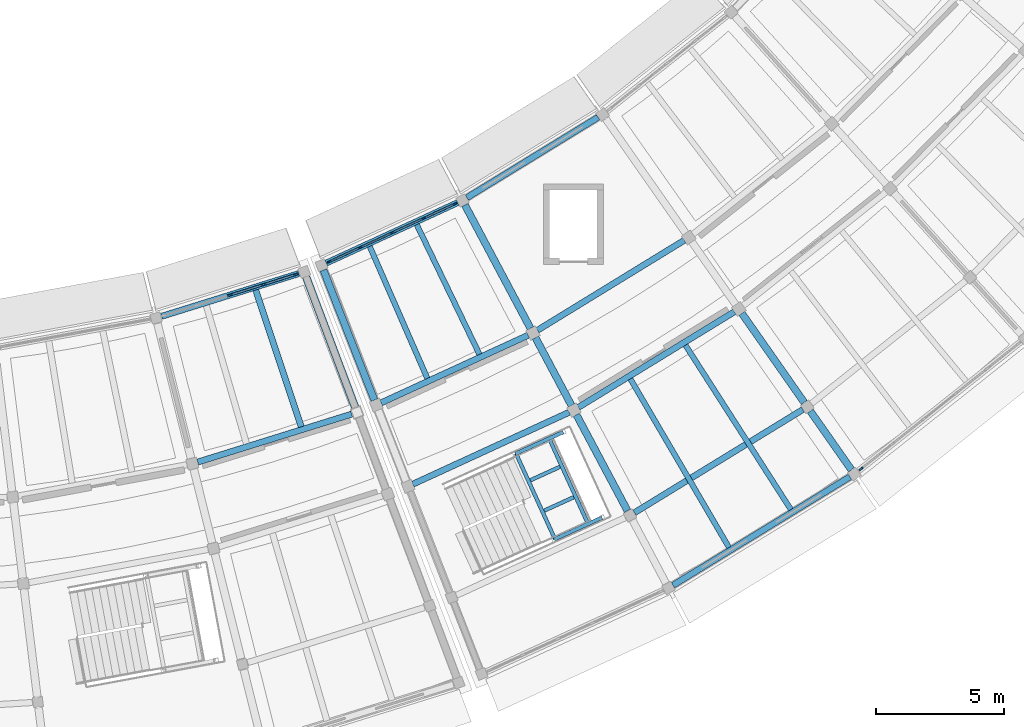
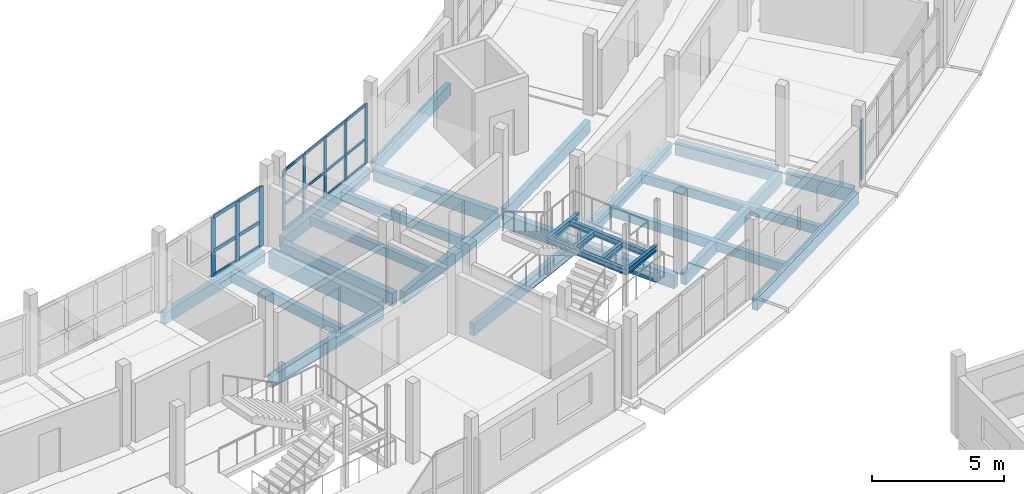
# One storey, part 30 of 77: 28 beams, 27 members, 3 elements without a shape of their own.
"""IFC4 building model written with IfcOpenShell, lengths in metres."""

import ifcopenshell
import ifcopenshell.guid

model = None  # the IFC model being written
_history = None  # IfcOwnerHistory: only IFC2X3 demands one
_inside = {}  # id of a spatial element -> (the spatial element, [elements in it])
_under = {}  # id of a project, library or spatial element -> (it, [spatial elements below it])
_declared = {}  # id of a project -> (the project, [libraries it declares])
_typed = {}  # id of a type object -> (the type object, [elements of that type])
_made_of = {}  # id of a material, layer set ... -> (it, [elements and type objects made of it])


def new_model(schema):
    """Start an empty IFC model of exactly this schema.

    Asked for "IFC4X3", IfcOpenShell would pick the latest addendum, in which some entities
    have other attributes; the version numbers below select the first issue.
    IFC2X3 requires an IfcOwnerHistory on every rooted entity: one is made here for all.
    """
    global model, _history
    if schema == "IFC4X3":
        model = ifcopenshell.file(schema_version=(4, 3, 0, 0))
    else:
        model = ifcopenshell.file(schema=schema)
    _inside.clear()
    _under.clear()
    _declared.clear()
    _typed.clear()
    _made_of.clear()
    _history = None
    if model.schema == "IFC2X3":
        org = make("IfcOrganization", Name="unknown")
        user = make(
            "IfcPersonAndOrganization",
            ThePerson=make("IfcPerson", FamilyName="unknown"),
            TheOrganization=org,
        )
        app = make(
            "IfcApplication",
            ApplicationDeveloper=org,
            Version="unknown",
            ApplicationFullName="unknown",
            ApplicationIdentifier="unknown",
        )
        _history = make(
            "IfcOwnerHistory",
            OwningUser=user,
            OwningApplication=app,
            ChangeAction="ADDED",
            CreationDate=0,
        )
    return model


def make(cls, **values):
    """One entity of the class cls with the attributes given. An attribute that is None is left unset."""
    return model.create_entity(
        cls, **{name: value for name, value in values.items() if value is not None}
    )


def rooted(cls, **values):
    """An entity with a GlobalId (a new one), such as an element, a storey or a relation."""
    return make(cls, GlobalId=ifcopenshell.guid.new(), OwnerHistory=_history, **values)


def si_unit(unit_type, name, prefix=None):
    """IfcSIUnit, for example si_unit("LENGTHUNIT", "METRE", prefix="MILLI")."""
    return make("IfcSIUnit", UnitType=unit_type, Prefix=prefix, Name=name)


def assignment(units):
    """IfcUnitAssignment: the units of a project."""
    return None if units is None else make("IfcUnitAssignment", Units=units)


def point(xyz):
    """IfcCartesianPoint."""
    return None if xyz is None else make("IfcCartesianPoint", Coordinates=xyz)


def direction(xyz):
    """IfcDirection."""
    return None if xyz is None else make("IfcDirection", DirectionRatios=xyz)


def frame(location, z_axis=None, x_axis=None):
    """IfcAxis2Placement3D, a coordinate frame: its origin and axes. An axis left out is left unset."""
    return make(
        "IfcAxis2Placement3D",
        Location=point(location),
        Axis=direction(z_axis),
        RefDirection=direction(x_axis),
    )


def frame_2d(location, x_axis=None):
    """IfcAxis2Placement2D, a coordinate frame in the plane: its origin and x axis."""
    return make(
        "IfcAxis2Placement2D", Location=point(location), RefDirection=direction(x_axis)
    )


def origin():
    """The frame at (0, 0, 0) with its axes left unset."""
    return frame((0.0, 0.0, 0.0))


def origin_2d():
    """The frame at (0, 0) in the plane with its x axis left unset."""
    return frame_2d((0.0, 0.0))


def place(relative_to, where):
    """IfcLocalPlacement: puts the frame where relative to a parent placement (None: the world)."""
    return make(
        "IfcLocalPlacement", PlacementRelTo=relative_to, RelativePlacement=where
    )


def context(
    kind, dimensions, precision=None, world=None, true_north=None, identifier=None
):
    """IfcGeometricRepresentationContext, for example the 3D "Model" context."""
    return make(
        "IfcGeometricRepresentationContext",
        ContextIdentifier=identifier,
        ContextType=kind,
        CoordinateSpaceDimension=dimensions,
        Precision=precision,
        WorldCoordinateSystem=world,
        TrueNorth=true_north,
    )


def subcontext(parent, identifier, kind, view, scale=None):
    """IfcGeometricRepresentationSubContext, for example "Body" below "Model"."""
    return make(
        "IfcGeometricRepresentationSubContext",
        ContextIdentifier=identifier,
        ContextType=kind,
        ParentContext=parent,
        TargetScale=scale,
        TargetView=view,
    )


def project(units=None, contexts=None):
    """IfcProject with its units and contexts."""
    return rooted(
        "IfcProject",
        Name="project",
        RepresentationContexts=contexts,
        UnitsInContext=assignment(units),
    )


def spatial(cls, under=None, at=None, **own):
    """A site, building, storey or space (cls), placed at a placement, below another one or the project."""
    s = rooted(cls, ObjectPlacement=at, **own)
    if under is not None:
        _under.setdefault(under.id(), (under, []))[1].append(s)
    return s


def profile(cls, at=None, kind="AREA", **sizes):
    """A parametric profile (cls). Its sizes go by their IFC names, for example OverallWidth=200.0."""
    return make(cls, ProfileType=kind, Position=at, **sizes)


def rectangle(**sizes):
    """IfcRectangleProfileDef."""
    return profile("IfcRectangleProfileDef", **sizes)


def i_section(**sizes):
    """IfcIShapeProfileDef."""
    return profile("IfcIShapeProfileDef", **sizes)


def extrude(swept, where, along, depth):
    """IfcExtrudedAreaSolid: the profile swept, set in the frame where, extruded along a direction by depth."""
    return make(
        "IfcExtrudedAreaSolid",
        SweptArea=swept,
        Position=where,
        ExtrudedDirection=direction(along),
        Depth=depth,
    )


def shape(context_of_items, identifier, shape_type, items):
    """IfcShapeRepresentation: the items that make up one representation, for example the "Body"."""
    return make(
        "IfcShapeRepresentation",
        ContextOfItems=context_of_items,
        RepresentationIdentifier=identifier,
        RepresentationType=shape_type,
        Items=items,
    )


def material(Name=None, Category=None):
    """IfcMaterial."""
    return make("IfcMaterial", Name=Name, Category=Category)


def layer(
    of_material, thickness, ventilated=None, Name=None, Category=None, Priority=None
):
    """IfcMaterialLayer: one layer of a wall or slab, of a material (None: an air gap)."""
    return make(
        "IfcMaterialLayer",
        Material=of_material,
        LayerThickness=thickness,
        IsVentilated=ventilated,
        Name=Name,
        Category=Category,
        Priority=Priority,
    )


def layer_set(layers, Name=None):
    """IfcMaterialLayerSet."""
    return make("IfcMaterialLayerSet", MaterialLayers=layers, LayerSetName=Name)


def material_profile(
    of_material, cross_section, Name=None, Category=None, Priority=None
):
    """IfcMaterialProfile: a cross section and its material."""
    return make(
        "IfcMaterialProfile",
        Name=Name,
        Material=of_material,
        Profile=cross_section,
        Priority=Priority,
        Category=Category,
    )


def profile_set(profiles, Name=None, composite=None):
    """IfcMaterialProfileSet."""
    return make(
        "IfcMaterialProfileSet",
        Name=Name,
        MaterialProfiles=profiles,
        CompositeProfile=composite,
    )


def made_of(thing, what):
    """Note that an element or type object is made of a material, layer set ...; save() writes the relation."""
    if what is not None:
        _made_of.setdefault(what.id(), (what, []))[1].append(thing)
    return thing


def type_object(cls, material=None, **own):
    """A type object (cls), such as IfcWallType, which elements share."""
    return made_of(rooted(cls, **own), material)


def element(
    cls,
    number,
    at=None,
    inside=None,
    cuts=None,
    type_object=None,
    material=None,
    context=None,
    identifier="Body",
    shape_type=None,
    held_by="IfcProductDefinitionShape",
    body=None,
    shapes=None,
    **own,
):
    """One element of the class cls, such as IfcWall. Its Tag is "e" and its number.

    at: its placement. inside: the storey or other place that contains it. cuts: it is an
    opening in that element (IfcRelVoidsElement). A single representation is given by context,
    identifier, shape_type and body (its items); several are given by shapes. held_by: the class
    of the entity that holds the representations. save() writes the other relations.
    """
    e = rooted(cls, Tag="e%d" % number, ObjectPlacement=at, **own)
    if body is not None:
        shapes = [shape(context, identifier, shape_type, body)]
    if shapes is not None:
        e.Representation = make(held_by, Representations=shapes)
    if inside is not None:
        _inside.setdefault(inside.id(), (inside, []))[1].append(e)
    if cuts is not None:
        rooted(
            "IfcRelVoidsElement", RelatingBuildingElement=cuts, RelatedOpeningElement=e
        )
    if type_object is not None:
        _typed.setdefault(type_object.id(), (type_object, []))[1].append(e)
    return made_of(e, material)


def aggregate(whole, parts):
    """IfcRelAggregates: a whole, such as a stair, and the parts it consists of."""
    return rooted("IfcRelAggregates", RelatingObject=whole, RelatedObjects=parts)


def save(model, path):
    """Write the relations noted so far, then the file.

    IfcRelAggregates (storeys below a building ...), IfcRelContainedInSpatialStructure (elements
    in a storey), IfcRelDefinesByType, IfcRelAssociatesMaterial and IfcRelDeclares: one each for
    every whole, place, type object, material and project.
    """
    for whole, parts in _under.values():
        aggregate(whole, parts)
    for where, things in _inside.values():
        rooted(
            "IfcRelContainedInSpatialStructure",
            RelatedElements=things,
            RelatingStructure=where,
        )
    for kind, things in _typed.values():
        rooted("IfcRelDefinesByType", RelatedObjects=things, RelatingType=kind)
    for what, things in _made_of.values():
        rooted("IfcRelAssociatesMaterial", RelatedObjects=things, RelatingMaterial=what)
    for by, libraries in _declared.values():
        rooted("IfcRelDeclares", RelatingContext=by, RelatedDefinitions=libraries)
    model.write(path)


model = new_model("IFC4")

# Units and contexts
model_context = context("Model", 3, precision=1e-05, world=origin(), true_north=direction((0.0, 1.0)))
body_context = subcontext(model_context, "Body", "Model", "MODEL_VIEW")
ifc_project = project(units=[si_unit("LENGTHUNIT", "METRE"), si_unit("AREAUNIT", "SQUARE_METRE"), si_unit("VOLUMEUNIT", "CUBIC_METRE"), si_unit("PLANEANGLEUNIT", "RADIAN"), si_unit("MASSUNIT", "GRAM", prefix="KILO")], contexts=[model_context])

# Site, building, storey
site_placement = place(None, origin())
site = spatial("IfcSite", under=ifc_project, at=site_placement, CompositionType="ELEMENT")
building_placement = place(site_placement, origin())
building = spatial("IfcBuilding", under=site, at=building_placement, Name="Caldaven Crescent School", CompositionType="ELEMENT")
storey_placement = place(building_placement, frame((0.0, 0.0, 4.419921875)))
storey = spatial("IfcBuildingStorey", under=building, at=storey_placement, Name="L01", CompositionType="ELEMENT", Elevation=4.419921875)

# Beams
ifc_material_1 = material(Name="Glulam MLE24h (GL28h)", Category="wood")
ifc_material_profile_1 = material_profile(ifc_material_1, rectangle(XDim=0.239990234375, YDim=0.5400390625, at=origin_2d()), Name="MLE 240x540")
ifc_profile_set_1 = profile_set([ifc_material_profile_1], Name="Glulam MLE24h (GL28h)")
beam_type_1 = type_object("IfcBeamType", Name="BM-GL54", PredefinedType="BEAM", material=ifc_profile_set_1)
beam_1_placement = place(storey_placement, frame((102.314208984375, 39.4970703125, -0.489990234375), z_axis=(0.954740502416, 0.297440032689, 0.0), x_axis=(-0.297440032689, 0.954740502416, 0.0)))
element("IfcBeam", 1, at=beam_1_placement, inside=storey, type_object=beam_type_1, Name="BMT-V5-L01-1062", PredefinedType="BEAM", context=body_context, shape_type="SweptSolid", body=[
    extrude(rectangle(XDim=0.239990234375, YDim=0.5400390625, at=origin_2d()), origin(), (0.0, 0.0, 1.0), 6.277587890625),
])
beam_2_placement = place(storey_placement, frame((109.453369140625, 41.802978515625, -0.489990234375), z_axis=(0.908521604568, 0.417837880083, 0.0), x_axis=(-0.417837880083, 0.908521604568, 0.0)))
element("IfcBeam", 2, at=beam_2_placement, inside=storey, type_object=beam_type_1, Name="BMT-V4E-L01-1095", PredefinedType="BEAM", context=body_context, shape_type="SweptSolid", body=[
    extrude(rectangle(XDim=0.239990234375, YDim=0.5400390625, at=origin_2d()), origin(), (0.0, 0.0, 1.0), 6.307373046875),
])
beam_3_placement = place(storey_placement, frame((110.693603515625, 38.637451171875, -0.489990234375), z_axis=(0.908529189987, 0.41782138641, 0.0), x_axis=(-0.41782138641, 0.908529189987, 0.0)))
element("IfcBeam", 3, at=beam_3_placement, inside=storey, type_object=beam_type_1, Name="BMT-V4E-L01-1096", PredefinedType="BEAM", context=body_context, shape_type="SweptSolid", body=[
    extrude(rectangle(XDim=0.239990234375, YDim=0.5400390625, at=origin_2d()), origin(), (0.0, 0.0, 1.0), 6.69921875),
])
beam_4_placement = place(storey_placement, frame((115.544921875, 44.63134765625, -0.489990234375), z_axis=(0.85265146304, 0.52248012649, 0.0), x_axis=(-0.52248012649, 0.85265146304, 0.0)))
element("IfcBeam", 4, at=beam_4_placement, inside=storey, type_object=beam_type_1, Name="BMT-V4E-L01-1102", PredefinedType="BEAM", context=body_context, shape_type="SweptSolid", body=[
    extrude(rectangle(XDim=0.239990234375, YDim=0.5400390625, at=origin_2d()), origin(), (0.0, 0.0, 1.0), 6.708251953125),
])
beam_5_placement = place(storey_placement, frame((117.14111328125, 41.629150390625, -0.489990234375), z_axis=(0.852628835063, 0.522517051989, 0.0), x_axis=(-0.522517051989, 0.852628835063, 0.0)))
element("IfcBeam", 5, at=beam_5_placement, inside=storey, type_object=beam_type_1, Name="BMT-V4E-L01-1103", PredefinedType="BEAM", context=body_context, shape_type="SweptSolid", body=[
    extrude(rectangle(XDim=0.239990234375, YDim=0.5400390625, at=origin_2d()), origin(), (0.0, 0.0, 1.0), 7.12353515625),
])
beam_6_placement = place(storey_placement, frame((119.32421875, 37.5234375, -0.489990234375), z_axis=(0.85263227297, 0.522511442067, 0.0), x_axis=(-0.522511442067, 0.85263227297, 0.0)))
element("IfcBeam", 6, at=beam_6_placement, inside=storey, type_object=beam_type_1, Name="BMT-V4E-L01-1104", PredefinedType="BEAM", context=body_context, shape_type="SweptSolid", body=[
    extrude(rectangle(XDim=0.239990234375, YDim=0.5400390625, at=origin_2d()), origin(), (0.0, 0.0, 1.0), 7.69140625),
])
ifc_material_profile_2 = material_profile(ifc_material_1, rectangle(XDim=0.280029296875, YDim=0.6298828125, at=origin_2d()), Name="MLE 280x630")
ifc_profile_set_2 = profile_set([ifc_material_profile_2], Name="Glulam MLE24h (GL28h)")
beam_type_2 = type_object("IfcBeamType", Name="BM-GL63", PredefinedType="BEAM", material=ifc_profile_set_2)
beam_7_placement = place(storey_placement, frame((107.207763671875, 46.973388671875, -0.534912109375), z_axis=(0.364812189152, -0.931081127854, 0.0), x_axis=(0.931081127854, 0.364812189152, 0.0)))
element("IfcBeam", 7, at=beam_7_placement, inside=storey, type_object=beam_type_2, Name="BMR-V4E-L01-1070", PredefinedType="BEAM", context=body_context, shape_type="SweptSolid", body=[
    extrude(rectangle(XDim=0.280029296875, YDim=0.6298828125, at=origin_2d()), origin(), (0.0, 0.0, 1.0), 5.440185546875),
])
beam_8_placement = place(storey_placement, frame((112.719970703125, 49.50830078125, -0.534912109375), z_axis=(0.469476763346, -0.882944827652, 0.0), x_axis=(0.882944827652, 0.469476763346, 0.0)))
element("IfcBeam", 8, at=beam_8_placement, inside=storey, type_object=beam_type_2, Name="BMR-V4E-L01-1074", PredefinedType="BEAM", context=body_context, shape_type="SweptSolid", body=[
    extrude(rectangle(XDim=0.280029296875, YDim=0.6298828125, at=origin_2d()), origin(), (0.0, 0.0, 1.0), 5.43994140625),
])
beam_9_placement = place(storey_placement, frame((115.466552734375, 44.34326171875, -0.534912109375), z_axis=(0.46941390334, -0.882978248515, 0.0), x_axis=(0.882978248515, 0.46941390334, 0.0)))
element("IfcBeam", 9, at=beam_9_placement, inside=storey, type_object=beam_type_2, Name="BMR-V4E-L01-1075", PredefinedType="BEAM", context=body_context, shape_type="SweptSolid", body=[
    extrude(rectangle(XDim=0.280029296875, YDim=0.6298828125, at=origin_2d()), origin(), (0.0, 0.0, 1.0), 2.989990234375),
])
for number, where, z_axis, x_axis, name in (
    (10, (117.062744140625, 41.341064453125, -0.534912109375), (0.469461129132, -0.882953140452, 0.0), (0.882953140452, 0.469461129132, 0.0), "BMR-V4E-L01-1076"),
    (11, (123.50732421875, 45.290283203125, -0.534912109375), (0.573570546438, -0.819156168419, 0.0), (0.819156168419, 0.573570546438, 0.0), "BMR-V4E-L01-1080"),
):
    element("IfcBeam", number, at=place(storey_placement, frame(where, z_axis=z_axis, x_axis=x_axis)), inside=storey, type_object=beam_type_2, Name=name, PredefinedType="BEAM", context=body_context, shape_type="SweptSolid", body=[
        extrude(rectangle(XDim=0.280029296875, YDim=0.6298828125, at=origin_2d()), origin(), (0.0, 0.0, 1.0), 4.239990234375),
    ])
beam_10_placement = place(storey_placement, frame((126.17431640625, 41.4814453125, -0.534912109375), z_axis=(0.573556299307, -0.81916614403, 0.0), x_axis=(0.81916614403, 0.573556299307, 0.0)))
element("IfcBeam", 12, at=beam_10_placement, inside=storey, type_object=beam_type_2, Name="BMR-V4E-L01-1081", PredefinedType="BEAM", context=body_context, shape_type="SweptSolid", body=[
    extrude(rectangle(XDim=0.280029296875, YDim=0.6298828125, at=origin_2d()), origin(), (0.0, 0.0, 1.0), 2.790283203125),
])
ifc_material_profile_3 = material_profile(ifc_material_1, rectangle(XDim=0.300048828125, YDim=0.780029296875, at=origin_2d()), Name="MLE 300x780")
ifc_profile_set_3 = profile_set([ifc_material_profile_3], Name="Glulam MLE24h (GL28h)")
beam_type_3 = type_object("IfcBeamType", Name="BM-GL78", PredefinedType="BEAM", material=ifc_profile_set_3)
beam_11_placement = place(storey_placement, frame((106.5361328125, 46.699462890625, -0.60986328125), z_axis=(0.351959110852, -0.936015376096, 0.0), x_axis=(0.936015376096, 0.351959110852, 0.0)))
element("IfcBeam", 13, at=beam_11_placement, inside=storey, type_object=beam_type_3, Name="BMR-V5-L01-1020", PredefinedType="BEAM", context=body_context, shape_type="SweptSolid", body=[
    extrude(rectangle(XDim=0.300048828125, YDim=0.780029296875, at=origin_2d()), origin(), (0.0, 0.0, 1.0), 5.409912109375),
])
ifc_material_2 = material(Name="Steel ASTM A572 Grade 50", Category="steel")
ifc_material_profile_4 = material_profile(ifc_material_2, i_section(OverallWidth=0.14599609375, OverallDepth=0.258056640625, WebThickness=0.006103515625, FlangeThickness=0.009033203125, FilletRadius=0.011962890625, at=origin_2d()), Name="W250x33")
ifc_profile_set_4 = profile_set([ifc_material_profile_4], Name="Steel ASTM A572 Grade 50")
beam_type_4 = type_object("IfcBeamType", Name="BM-W25", PredefinedType="BEAM", material=ifc_profile_set_4)
beam_12_placement = place(storey_placement, frame((116.19921875, 36.4853515625, 1.546142578125), z_axis=(0.909970452599, 0.414673094614, 0.0), x_axis=(-0.414673094614, 0.909970452599, 0.0)))
element("IfcBeam", 14, at=beam_12_placement, inside=storey, type_object=beam_type_4, Name="BM-STSIDE-ST4-L01-SL", PredefinedType="BEAM", context=body_context, shape_type="SweptSolid", body=[
    extrude(i_section(OverallWidth=0.14599609375, OverallDepth=0.258056640625, WebThickness=0.006103515625, FlangeThickness=0.009033203125, FilletRadius=0.011962890625, at=origin_2d()), origin(), (0.0, 0.0, 1.0), 2.050048828125),
])
beam_13_placement = place(storey_placement, frame((114.681640625, 39.81591796875, 1.546142578125), z_axis=(0.90994997121, 0.414718036617, 0.0), x_axis=(-0.414718036617, 0.90994997121, 0.0)))
element("IfcBeam", 15, at=beam_13_placement, inside=storey, type_object=beam_type_4, Name="BM-STSIDE-ST4-L01-SR", PredefinedType="BEAM", context=body_context, shape_type="SweptSolid", body=[
    extrude(i_section(OverallWidth=0.14599609375, OverallDepth=0.258056640625, WebThickness=0.006103515625, FlangeThickness=0.009033203125, FilletRadius=0.011962890625, at=origin_2d()), origin(), (0.0, 0.0, 1.0), 2.0498046875),
])
for number, where, z_axis, x_axis, name in (
    (16, (116.2265625, 36.497802734375, 1.546142578125), (-0.414692271789, 0.909961713326, 0.0), (-0.909961713326, -0.414692271789, 0.0), "BM-STLND-ST4-L01-IN"),
    (17, (117.518798828125, 37.086669921875, 1.546142578125), (-0.414692271789, 0.909961713326, 0.0), (-0.909961713326, -0.414692271789, 0.0), "BM-STLND-ST4-L01-OUT"),
):
    element("IfcBeam", number, at=place(storey_placement, frame(where, z_axis=z_axis, x_axis=x_axis)), inside=storey, type_object=beam_type_4, Name=name, PredefinedType="BEAM", context=body_context, shape_type="SweptSolid", body=[
        extrude(i_section(OverallWidth=0.14599609375, OverallDepth=0.258056640625, WebThickness=0.006103515625, FlangeThickness=0.009033203125, FilletRadius=0.011962890625, at=origin_2d()), origin(), (0.0, 0.0, 1.0), 3.66015625),
    ])

# Curtain wall, members
ifc_material_3 = material(Name="Anodised aluminium AA 6063-T6 and low-E double glazing", Category="aluminium")
ifc_layer_1 = layer(ifc_material_3, 0.169921875)
ifc_layer_set_1 = layer_set([ifc_layer_1], Name="Anodised aluminium AA 6063-T6 and low-E double glazing")
curtain_wall_type_1 = type_object("IfcCurtainWallType", Name="CW-SYS1", PredefinedType="NOTDEFINED", material=ifc_layer_set_1)
curtain_wall_1_placement = place(storey_placement, origin())
curtain_wall_1 = element("IfcCurtainWall", 18, at=curtain_wall_1_placement, inside=storey, type_object=curtain_wall_type_1, Name="CW-L01-130", PredefinedType="NOTDEFINED")
ifc_material_4 = material(Name="Anodised aluminium AA 6063-T6", Category="aluminium")
ifc_material_profile_5 = material_profile(ifc_material_4, rectangle(XDim=0.06005859375, YDim=0.14990234375, at=origin_2d()), Name="CWM 60x150")
ifc_profile_set_5 = profile_set([ifc_material_profile_5], Name="Anodised aluminium AA 6063-T6")
member_type_1 = type_object("IfcMemberType", Name="CWM-T1", PredefinedType="MULLION", material=ifc_profile_set_5)
member_1_placement = place(storey_placement, frame((107.432861328125, 47.30224609375, 0.0), z_axis=(0.0, 0.0, 1.0), x_axis=(-0.417824094306, 0.908527944654, 0.0)))
member_1 = element("IfcMember", 19, at=member_1_placement, type_object=member_type_1, Name="CW1 mullion 1", PredefinedType="MULLION", context=body_context, shape_type="SweptSolid", body=[
    extrude(rectangle(XDim=0.06005859375, YDim=0.14990234375, at=origin_2d()), origin(), (0.0, 0.0, 1.0), 2.780029296875),
])
member_2_placement = place(storey_placement, frame((108.64208984375, 47.858154296875, 0.0), z_axis=(0.0, 0.0, 1.0), x_axis=(-0.417824094306, 0.908527944654, 0.0)))
member_2 = element("IfcMember", 20, at=member_2_placement, type_object=member_type_1, Name="CW1 mullion 2", PredefinedType="MULLION", context=body_context, shape_type="SweptSolid", body=[
    extrude(rectangle(XDim=0.06005859375, YDim=0.14990234375, at=origin_2d()), origin(), (0.0, 0.0, 1.0), 2.780029296875),
])
member_3_placement = place(storey_placement, frame((109.87841796875, 48.4267578125, 0.0), z_axis=(0.0, 0.0, 1.0), x_axis=(-0.417824094306, 0.908527944654, 0.0)))
member_3 = element("IfcMember", 21, at=member_3_placement, type_object=member_type_1, Name="CW1 mullion 3", PredefinedType="MULLION", context=body_context, shape_type="SweptSolid", body=[
    extrude(rectangle(XDim=0.06005859375, YDim=0.14990234375, at=origin_2d()), origin(), (0.0, 0.0, 1.0), 2.780029296875),
])
member_4_placement = place(storey_placement, frame((111.11474609375, 48.995361328125, 0.0), z_axis=(0.0, 0.0, 1.0), x_axis=(-0.417824094306, 0.908527944654, 0.0)))
member_4 = element("IfcMember", 22, at=member_4_placement, type_object=member_type_1, Name="CW1 mullion 4", PredefinedType="MULLION", context=body_context, shape_type="SweptSolid", body=[
    extrude(rectangle(XDim=0.06005859375, YDim=0.14990234375, at=origin_2d()), origin(), (0.0, 0.0, 1.0), 2.780029296875),
])
member_5_placement = place(storey_placement, frame((112.323974609375, 49.551513671875, 0.0), z_axis=(0.0, 0.0, 1.0), x_axis=(-0.417824094306, 0.908527944654, 0.0)))
member_5 = element("IfcMember", 23, at=member_5_placement, type_object=member_type_1, Name="CW1 mullion 5", PredefinedType="MULLION", context=body_context, shape_type="SweptSolid", body=[
    extrude(rectangle(XDim=0.06005859375, YDim=0.14990234375, at=origin_2d()), origin(), (0.0, 0.0, 1.0), 2.780029296875),
])

# Curtain wall, member
curtain_wall_2_placement = place(storey_placement, origin())
curtain_wall_2 = element("IfcCurtainWall", 24, at=curtain_wall_2_placement, inside=storey, type_object=curtain_wall_type_1, Name="CW-L01-133", PredefinedType="NOTDEFINED")
ifc_material_profile_6 = material_profile(ifc_material_4, rectangle(XDim=0.06494140625, YDim=0.179931640625, at=origin_2d()), Name="CWM 65x180")
ifc_profile_set_6 = profile_set([ifc_material_profile_6], Name="Anodised aluminium AA 6063-T6")
member_type_2 = type_object("IfcMemberType", Name="CWM-T2", PredefinedType="MULLION", material=ifc_profile_set_6)
member_6_placement = place(storey_placement, frame((128.15234375, 39.23486328125, 0.0), z_axis=(0.0, 0.0, 1.0), x_axis=(-0.622514235279, 0.782608476107, 0.0)))
member_6 = element("IfcMember", 25, at=member_6_placement, type_object=member_type_2, Name="CW1 mullion 1", PredefinedType="MULLION", context=body_context, shape_type="SweptSolid", body=[
    extrude(rectangle(XDim=0.06494140625, YDim=0.179931640625, at=origin_2d()), origin(), (0.0, 0.0, 1.0), 2.780029296875),
])
aggregate(curtain_wall_2, [member_6])

# Curtain wall, members
ifc_layer_2 = layer(ifc_material_3, 0.22998046875)
ifc_layer_set_2 = layer_set([ifc_layer_2], Name="Anodised aluminium AA 6063-T6 and low-E double glazing")
curtain_wall_type_2 = type_object("IfcCurtainWallType", Name="CW-SYS4", PredefinedType="NOTDEFINED", material=ifc_layer_set_2)
curtain_wall_3_placement = place(storey_placement, origin())
curtain_wall_3 = element("IfcCurtainWall", 26, at=curtain_wall_3_placement, inside=storey, type_object=curtain_wall_type_2, Name="CW-L01-129", PredefinedType="NOTDEFINED")
ifc_material_profile_7 = material_profile(ifc_material_4, rectangle(XDim=0.070068359375, YDim=0.2099609375, at=origin_2d()), Name="CWM 70x210")
ifc_profile_set_7 = profile_set([ifc_material_profile_7], Name="Anodised aluminium AA 6063-T6")
member_type_3 = type_object("IfcMemberType", Name="CWM-T3", PredefinedType="MULLION", material=ifc_profile_set_7)
member_7_placement = place(storey_placement, frame((103.57373046875, 46.0068359375, 0.0), z_axis=(0.0, 0.0, 1.0), x_axis=(-0.297419758694, 0.954746818344, 0.0)))
member_7 = element("IfcMember", 27, at=member_7_placement, type_object=member_type_3, Name="CW4 mullion 3", PredefinedType="MULLION", context=body_context, shape_type="SweptSolid", body=[
    extrude(rectangle(XDim=0.070068359375, YDim=0.2099609375, at=origin_2d()), origin(), (0.0, 0.0, 1.0), 2.780029296875),
])
member_8_placement = place(storey_placement, frame((104.873046875, 46.411376953125, 0.0), z_axis=(0.0, 0.0, 1.0), x_axis=(-0.297419758694, 0.954746818344, 0.0)))
member_8 = element("IfcMember", 28, at=member_8_placement, type_object=member_type_3, Name="CW4 mullion 4", PredefinedType="MULLION", context=body_context, shape_type="SweptSolid", body=[
    extrude(rectangle(XDim=0.070068359375, YDim=0.2099609375, at=origin_2d()), origin(), (0.0, 0.0, 1.0), 2.780029296875),
])
member_9_placement = place(storey_placement, frame((106.138916015625, 46.805908203125, 0.0), z_axis=(0.0, 0.0, 1.0), x_axis=(-0.297419758694, 0.954746818344, 0.0)))
member_9 = element("IfcMember", 29, at=member_9_placement, type_object=member_type_3, Name="CW4 mullion 5", PredefinedType="MULLION", context=body_context, shape_type="SweptSolid", body=[
    extrude(rectangle(XDim=0.070068359375, YDim=0.2099609375, at=origin_2d()), origin(), (0.0, 0.0, 1.0), 2.780029296875),
])

# Member
ifc_material_profile_8 = material_profile(ifc_material_4, rectangle(XDim=0.06005859375, YDim=0.1201171875, at=origin_2d()), Name="CWT 60x120")
ifc_profile_set_8 = profile_set([ifc_material_profile_8], Name="Anodised aluminium AA 6063-T6")
member_type_4 = type_object("IfcMemberType", Name="CWT-T1", PredefinedType="USERDEFINED", material=ifc_profile_set_8)
member_10_placement = place(storey_placement, frame((107.460205078125, 47.314697265625, 0.030029296875), z_axis=(0.908515250434, 0.417851695854, 0.0), x_axis=(-0.417851695854, 0.908515250434, 0.0)))
member_10 = element("IfcMember", 30, at=member_10_placement, type_object=member_type_4, Name="CW1 transom 1.1", ObjectType="TRANSOM", PredefinedType="USERDEFINED", context=body_context, shape_type="SweptSolid", body=[
    extrude(rectangle(XDim=0.06005859375, YDim=0.1201171875, at=origin_2d()), origin(), (0.0, 0.0, 1.0), 1.270751953125),
])

member_11_placement = place(storey_placement, frame((107.460205078125, 47.314697265625, 1.16796875), z_axis=(0.908515250434, 0.417851695854, 0.0), x_axis=(-0.417851695854, 0.908515250434, 0.0)))
member_11 = element("IfcMember", 31, at=member_11_placement, type_object=member_type_4, Name="CW1 transom 1.2", ObjectType="TRANSOM", PredefinedType="USERDEFINED", context=body_context, shape_type="SweptSolid", body=[
    extrude(rectangle(XDim=0.06005859375, YDim=0.1201171875, at=origin_2d()), origin(), (0.0, 0.0, 1.0), 1.270751953125),
])

member_12_placement = place(storey_placement, frame((107.460205078125, 47.314697265625, 2.75), z_axis=(0.908515250434, 0.417851695854, 0.0), x_axis=(-0.417851695854, 0.908515250434, 0.0)))
member_12 = element("IfcMember", 32, at=member_12_placement, type_object=member_type_4, Name="CW1 transom 1.3", ObjectType="TRANSOM", PredefinedType="USERDEFINED", context=body_context, shape_type="SweptSolid", body=[
    extrude(rectangle(XDim=0.06005859375, YDim=0.1201171875, at=origin_2d()), origin(), (0.0, 0.0, 1.0), 1.270751953125),
])

member_13_placement = place(storey_placement, frame((108.669189453125, 47.870849609375, 0.030029296875), z_axis=(0.908551721901, 0.417772388546, 0.0), x_axis=(-0.417772388546, 0.908551721901, 0.0)))
member_13 = element("IfcMember", 33, at=member_13_placement, type_object=member_type_4, Name="CW1 transom 2.1", ObjectType="TRANSOM", PredefinedType="USERDEFINED", context=body_context, shape_type="SweptSolid", body=[
    extrude(rectangle(XDim=0.06005859375, YDim=0.1201171875, at=origin_2d()), origin(), (0.0, 0.0, 1.0), 1.30078125),
])

member_14_placement = place(storey_placement, frame((108.669189453125, 47.870849609375, 1.16796875), z_axis=(0.908551721901, 0.417772388546, 0.0), x_axis=(-0.417772388546, 0.908551721901, 0.0)))
member_14 = element("IfcMember", 34, at=member_14_placement, type_object=member_type_4, Name="CW1 transom 2.2", ObjectType="TRANSOM", PredefinedType="USERDEFINED", context=body_context, shape_type="SweptSolid", body=[
    extrude(rectangle(XDim=0.06005859375, YDim=0.1201171875, at=origin_2d()), origin(), (0.0, 0.0, 1.0), 1.30078125),
])

member_15_placement = place(storey_placement, frame((108.669189453125, 47.870849609375, 2.75), z_axis=(0.908551721901, 0.417772388546, 0.0), x_axis=(-0.417772388546, 0.908551721901, 0.0)))
member_15 = element("IfcMember", 35, at=member_15_placement, type_object=member_type_4, Name="CW1 transom 2.3", ObjectType="TRANSOM", PredefinedType="USERDEFINED", context=body_context, shape_type="SweptSolid", body=[
    extrude(rectangle(XDim=0.06005859375, YDim=0.1201171875, at=origin_2d()), origin(), (0.0, 0.0, 1.0), 1.30078125),
])

member_16_placement = place(storey_placement, frame((109.90576171875, 48.439453125, 0.030029296875), z_axis=(0.908551721901, 0.417772388546, 0.0), x_axis=(-0.417772388546, 0.908551721901, 0.0)))
member_16 = element("IfcMember", 36, at=member_16_placement, type_object=member_type_4, Name="CW1 transom 3.1", ObjectType="TRANSOM", PredefinedType="USERDEFINED", context=body_context, shape_type="SweptSolid", body=[
    extrude(rectangle(XDim=0.06005859375, YDim=0.1201171875, at=origin_2d()), origin(), (0.0, 0.0, 1.0), 1.30078125),
])

member_17_placement = place(storey_placement, frame((109.90576171875, 48.439453125, 1.16796875), z_axis=(0.908551721901, 0.417772388546, 0.0), x_axis=(-0.417772388546, 0.908551721901, 0.0)))
member_17 = element("IfcMember", 37, at=member_17_placement, type_object=member_type_4, Name="CW1 transom 3.2", ObjectType="TRANSOM", PredefinedType="USERDEFINED", context=body_context, shape_type="SweptSolid", body=[
    extrude(rectangle(XDim=0.06005859375, YDim=0.1201171875, at=origin_2d()), origin(), (0.0, 0.0, 1.0), 1.30078125),
])

member_18_placement = place(storey_placement, frame((109.90576171875, 48.439453125, 2.75), z_axis=(0.908551721901, 0.417772388546, 0.0), x_axis=(-0.417772388546, 0.908551721901, 0.0)))
member_18 = element("IfcMember", 38, at=member_18_placement, type_object=member_type_4, Name="CW1 transom 3.3", ObjectType="TRANSOM", PredefinedType="USERDEFINED", context=body_context, shape_type="SweptSolid", body=[
    extrude(rectangle(XDim=0.06005859375, YDim=0.1201171875, at=origin_2d()), origin(), (0.0, 0.0, 1.0), 1.30078125),
])

member_19_placement = place(storey_placement, frame((111.14208984375, 49.008056640625, 0.030029296875), z_axis=(0.908515250434, 0.417851695854, 0.0), x_axis=(-0.417851695854, 0.908515250434, 0.0)))
member_19 = element("IfcMember", 39, at=member_19_placement, type_object=member_type_4, Name="CW1 transom 4.1", ObjectType="TRANSOM", PredefinedType="USERDEFINED", context=body_context, shape_type="SweptSolid", body=[
    extrude(rectangle(XDim=0.06005859375, YDim=0.1201171875, at=origin_2d()), origin(), (0.0, 0.0, 1.0), 1.270751953125),
])

member_20_placement = place(storey_placement, frame((111.14208984375, 49.008056640625, 1.16796875), z_axis=(0.908515250434, 0.417851695854, 0.0), x_axis=(-0.417851695854, 0.908515250434, 0.0)))
member_20 = element("IfcMember", 40, at=member_20_placement, type_object=member_type_4, Name="CW1 transom 4.2", ObjectType="TRANSOM", PredefinedType="USERDEFINED", context=body_context, shape_type="SweptSolid", body=[
    extrude(rectangle(XDim=0.06005859375, YDim=0.1201171875, at=origin_2d()), origin(), (0.0, 0.0, 1.0), 1.270751953125),
])

member_21_placement = place(storey_placement, frame((111.14208984375, 49.008056640625, 2.75), z_axis=(0.908515250434, 0.417851695854, 0.0), x_axis=(-0.417851695854, 0.908515250434, 0.0)))
member_21 = element("IfcMember", 41, at=member_21_placement, type_object=member_type_4, Name="CW1 transom 4.3", ObjectType="TRANSOM", PredefinedType="USERDEFINED", context=body_context, shape_type="SweptSolid", body=[
    extrude(rectangle(XDim=0.06005859375, YDim=0.1201171875, at=origin_2d()), origin(), (0.0, 0.0, 1.0), 1.270751953125),
])

aggregate(curtain_wall_1, [member_1, member_2, member_3, member_4, member_5, member_10, member_11, member_12, member_13, member_14, member_15, member_16, member_17, member_18, member_19, member_20, member_21])

ifc_material_profile_9 = material_profile(ifc_material_4, rectangle(XDim=0.070068359375, YDim=0.159912109375, at=origin_2d()), Name="CWT 70x160")
ifc_profile_set_9 = profile_set([ifc_material_profile_9], Name="Anodised aluminium AA 6063-T6")
member_type_5 = type_object("IfcMemberType", Name="CWT-T3", PredefinedType="USERDEFINED", material=ifc_profile_set_9)
member_22_placement = place(storey_placement, frame((103.607177734375, 46.01708984375, 0.03515625), z_axis=(0.954721963294, 0.297499534125, 0.0), x_axis=(-0.297499534125, 0.954721963294, 0.0)))
member_22 = element("IfcMember", 42, at=member_22_placement, type_object=member_type_5, Name="CW4 transom 3.1", ObjectType="TRANSOM", PredefinedType="USERDEFINED", context=body_context, shape_type="SweptSolid", body=[
    extrude(rectangle(XDim=0.070068359375, YDim=0.159912109375, at=origin_2d()), origin(), (0.0, 0.0, 1.0), 1.290771484375),
])

member_23_placement = place(storey_placement, frame((103.607177734375, 46.01708984375, 1.16796875), z_axis=(0.954721963294, 0.297499534125, 0.0), x_axis=(-0.297499534125, 0.954721963294, 0.0)))
member_23 = element("IfcMember", 43, at=member_23_placement, type_object=member_type_5, Name="CW4 transom 3.2", ObjectType="TRANSOM", PredefinedType="USERDEFINED", context=body_context, shape_type="SweptSolid", body=[
    extrude(rectangle(XDim=0.070068359375, YDim=0.159912109375, at=origin_2d()), origin(), (0.0, 0.0, 1.0), 1.290771484375),
])

member_24_placement = place(storey_placement, frame((103.607177734375, 46.01708984375, 2.7451171875), z_axis=(0.954721963294, 0.297499534125, 0.0), x_axis=(-0.297499534125, 0.954721963294, 0.0)))
member_24 = element("IfcMember", 44, at=member_24_placement, type_object=member_type_5, Name="CW4 transom 3.3", ObjectType="TRANSOM", PredefinedType="USERDEFINED", context=body_context, shape_type="SweptSolid", body=[
    extrude(rectangle(XDim=0.070068359375, YDim=0.159912109375, at=origin_2d()), origin(), (0.0, 0.0, 1.0), 1.290771484375),
])

member_25_placement = place(storey_placement, frame((104.906494140625, 46.421875, 0.03515625), z_axis=(0.954739058626, 0.297444667012, 0.0), x_axis=(-0.297444667012, 0.954739058626, 0.0)))
member_25 = element("IfcMember", 45, at=member_25_placement, type_object=member_type_5, Name="CW4 transom 4.1", ObjectType="TRANSOM", PredefinedType="USERDEFINED", context=body_context, shape_type="SweptSolid", body=[
    extrude(rectangle(XDim=0.070068359375, YDim=0.159912109375, at=origin_2d()), origin(), (0.0, 0.0, 1.0), 1.255859375),
])

member_26_placement = place(storey_placement, frame((104.906494140625, 46.421875, 1.16796875), z_axis=(0.954739058626, 0.297444667012, 0.0), x_axis=(-0.297444667012, 0.954739058626, 0.0)))
member_26 = element("IfcMember", 46, at=member_26_placement, type_object=member_type_5, Name="CW4 transom 4.2", ObjectType="TRANSOM", PredefinedType="USERDEFINED", context=body_context, shape_type="SweptSolid", body=[
    extrude(rectangle(XDim=0.070068359375, YDim=0.159912109375, at=origin_2d()), origin(), (0.0, 0.0, 1.0), 1.255859375),
])

member_27_placement = place(storey_placement, frame((104.906494140625, 46.421875, 2.7451171875), z_axis=(0.954739058626, 0.297444667012, 0.0), x_axis=(-0.297444667012, 0.954739058626, 0.0)))
member_27 = element("IfcMember", 47, at=member_27_placement, type_object=member_type_5, Name="CW4 transom 4.3", ObjectType="TRANSOM", PredefinedType="USERDEFINED", context=body_context, shape_type="SweptSolid", body=[
    extrude(rectangle(XDim=0.070068359375, YDim=0.159912109375, at=origin_2d()), origin(), (0.0, 0.0, 1.0), 1.255859375),
])

aggregate(curtain_wall_3, [member_7, member_8, member_9, member_22, member_23, member_24, member_25, member_26, member_27])

# Beams
ifc_material_profile_10 = material_profile(ifc_material_1, rectangle(XDim=0.2099609375, YDim=0.419921875, at=origin_2d()), Name="MLE 210x420")
ifc_profile_set_10 = profile_set([ifc_material_profile_10], Name="Glulam MLE24h (GL28h)")
beam_type_5 = type_object("IfcBeamType", Name="JS-GL42", PredefinedType="JOIST", material=ifc_profile_set_10)
beam_14_placement = place(storey_placement, frame((109.00927734375, 47.900634765625, -0.429931640625), z_axis=(0.400268713255, -0.916397816011, 0.0), x_axis=(0.916397816011, 0.400268713255, 0.0)))
element("IfcBeam", 48, at=beam_14_placement, inside=storey, type_object=beam_type_5, Name="JSR-V4E-L01-1099", PredefinedType="JOIST", context=body_context, shape_type="SweptSolid", body=[
    extrude(rectangle(XDim=0.2099609375, YDim=0.419921875, at=origin_2d()), origin(), (0.0, 0.0, 1.0), 5.611572265625),
])
beam_15_placement = place(storey_placement, frame((110.843505859375, 48.744140625, -0.429931640625), z_axis=(0.435252715728, -0.900308321327, 0.0), x_axis=(0.900308321327, 0.435252715728, 0.0)))
element("IfcBeam", 49, at=beam_15_placement, inside=storey, type_object=beam_type_5, Name="JSR-V4E-L01-1100", PredefinedType="JOIST", context=body_context, shape_type="SweptSolid", body=[
    extrude(rectangle(XDim=0.2099609375, YDim=0.419921875, at=origin_2d()), origin(), (0.0, 0.0, 1.0), 5.611328125),
])
beam_16_placement = place(storey_placement, frame((119.16552734375, 42.73486328125, -0.429931640625), z_axis=(0.505006034993, -0.863115811824, 0.0), x_axis=(0.863115811824, 0.505006034993, 0.0)))
element("IfcBeam", 50, at=beam_16_placement, inside=storey, type_object=beam_type_5, Name="JSR-V4E-L01-1106", PredefinedType="JOIST", context=body_context, shape_type="SweptSolid", body=[
    extrude(rectangle(XDim=0.2099609375, YDim=0.419921875, at=origin_2d()), origin(), (0.0, 0.0, 1.0), 7.60693359375),
])
beam_17_placement = place(storey_placement, frame((121.310546875, 44.049560546875, -0.429931640625), z_axis=(0.539777509401, -0.841807721719, 0.0), x_axis=(0.841807721719, 0.539777509401, 0.0)))
element("IfcBeam", 51, at=beam_17_placement, inside=storey, type_object=beam_type_5, Name="JSR-V4E-L01-1107", PredefinedType="JOIST", context=body_context, shape_type="SweptSolid", body=[
    extrude(rectangle(XDim=0.2099609375, YDim=0.419921875, at=origin_2d()), origin(), (0.0, 0.0, 1.0), 7.607177734375),
])
ifc_material_profile_11 = material_profile(ifc_material_1, rectangle(XDim=0.239990234375, YDim=0.47998046875, at=origin_2d()), Name="MLE 240x480")
ifc_profile_set_11 = profile_set([ifc_material_profile_11], Name="Glulam MLE24h (GL28h)")
beam_type_6 = type_object("IfcBeamType", Name="JS-GL48", PredefinedType="JOIST", material=ifc_profile_set_11)
beam_18_placement = place(storey_placement, frame((104.57177734375, 46.197265625, -0.4599609375), z_axis=(0.315731740735, -0.948848495753, 0.0), x_axis=(0.948848495753, 0.315731740735, 0.0)))
element("IfcBeam", 52, at=beam_18_placement, inside=storey, type_object=beam_type_6, Name="JSR-V5-L01-1068", PredefinedType="JOIST", context=body_context, shape_type="SweptSolid", body=[
    extrude(rectangle(XDim=0.239990234375, YDim=0.47998046875, at=origin_2d()), origin(), (0.0, 0.0, 1.0), 5.611572265625),
])
ifc_material_profile_12 = material_profile(ifc_material_2, i_section(OverallWidth=0.14599609375, OverallDepth=0.258056640625, WebThickness=0.006103515625, FlangeThickness=0.009033203125, FilletRadius=0.011962890625, at=origin_2d()), Name="W250x33")
ifc_profile_set_12 = profile_set([ifc_material_profile_12], Name="Steel ASTM A572 Grade 50")
beam_type_7 = type_object("IfcBeamType", Name="LN-W25", PredefinedType="LINTEL", material=ifc_profile_set_12)
for number, where, z_axis, x_axis, name in (
    (53, (115.81005859375, 37.604736328125, 1.546142578125), (0.909894759802, 0.414839156886, 0.0), (-0.414839156886, 0.909894759802, 0.0), "BM-STJST-ST4-L01-JL"),
    (54, (115.27099609375, 38.787841796875, 1.546142578125), (0.909967888005, 0.414678722387, 0.0), (-0.414678722387, 0.909967888005, 0.0), "BM-STJST-ST4-L01-JR"),
):
    element("IfcBeam", number, at=place(storey_placement, frame(where, z_axis=z_axis, x_axis=x_axis)), inside=storey, type_object=beam_type_7, Name=name, PredefinedType="LINTEL", context=body_context, shape_type="SweptSolid", body=[
        extrude(i_section(OverallWidth=0.14599609375, OverallDepth=0.258056640625, WebThickness=0.006103515625, FlangeThickness=0.009033203125, FilletRadius=0.011962890625, at=origin_2d()), origin(), (0.0, 0.0, 1.0), 1.260009765625),
    ])
ifc_material_profile_13 = material_profile(ifc_material_1, rectangle(XDim=0.239990234375, YDim=0.5400390625, at=origin_2d()), Name="MLE 240x540")
ifc_profile_set_13 = profile_set([ifc_material_profile_13], Name="Glulam MLE24h (GL28h)")
beam_type_8 = type_object("IfcBeamType", Name="SP-GL54", PredefinedType="SPANDREL", material=ifc_profile_set_13)
beam_19_placement = place(storey_placement, frame((100.89892578125, 45.17333984375, -0.489990234375), z_axis=(0.954737781263, 0.297448767065, 0.0), x_axis=(-0.297448767065, 0.954737781263, 0.0)))
element("IfcBeam", 55, at=beam_19_placement, inside=storey, type_object=beam_type_8, Name="BMT-V5-L01-1061", PredefinedType="SPANDREL", context=body_context, shape_type="SweptSolid", body=[
    extrude(rectangle(XDim=0.239990234375, YDim=0.5400390625, at=origin_2d()), origin(), (0.0, 0.0, 1.0), 5.603515625),
])
beam_20_placement = place(storey_placement, frame((107.3193359375, 47.25, -0.489990234375), z_axis=(0.908530595551, 0.417818330076, 0.0), x_axis=(-0.417818330076, 0.908530595551, 0.0)))
element("IfcBeam", 56, at=beam_20_placement, inside=storey, type_object=beam_type_8, Name="BMT-V4E-L01-1094", PredefinedType="SPANDREL", context=body_context, shape_type="SweptSolid", body=[
    extrude(rectangle(XDim=0.239990234375, YDim=0.5400390625, at=origin_2d()), origin(), (0.0, 0.0, 1.0), 5.633544921875),
])
beam_21_placement = place(storey_placement, frame((112.798583984375, 49.796630859375, -0.489990234375), z_axis=(0.852635789269, 0.522505704139, 0.0), x_axis=(-0.522505704139, 0.852635789269, 0.0)))
element("IfcBeam", 57, at=beam_21_placement, inside=storey, type_object=beam_type_8, Name="BMT-V4E-L01-1101", PredefinedType="SPANDREL", context=body_context, shape_type="SweptSolid", body=[
    extrude(rectangle(XDim=0.239990234375, YDim=0.5400390625, at=origin_2d()), origin(), (0.0, 0.0, 1.0), 5.993896484375),
])
beam_22_placement = place(storey_placement, frame((120.826416015625, 34.697998046875, -0.489990234375), z_axis=(0.852639021078, 0.522500430369, 0.0), x_axis=(-0.522500430369, 0.852639021078, 0.0)))
element("IfcBeam", 58, at=beam_22_placement, inside=storey, type_object=beam_type_8, Name="BMT-V4E-L01-1105", PredefinedType="SPANDREL", context=body_context, shape_type="SweptSolid", body=[
    extrude(rectangle(XDim=0.239990234375, YDim=0.5400390625, at=origin_2d()), origin(), (0.0, 0.0, 1.0), 8.08203125),
])

save(model, "model.ifc")
